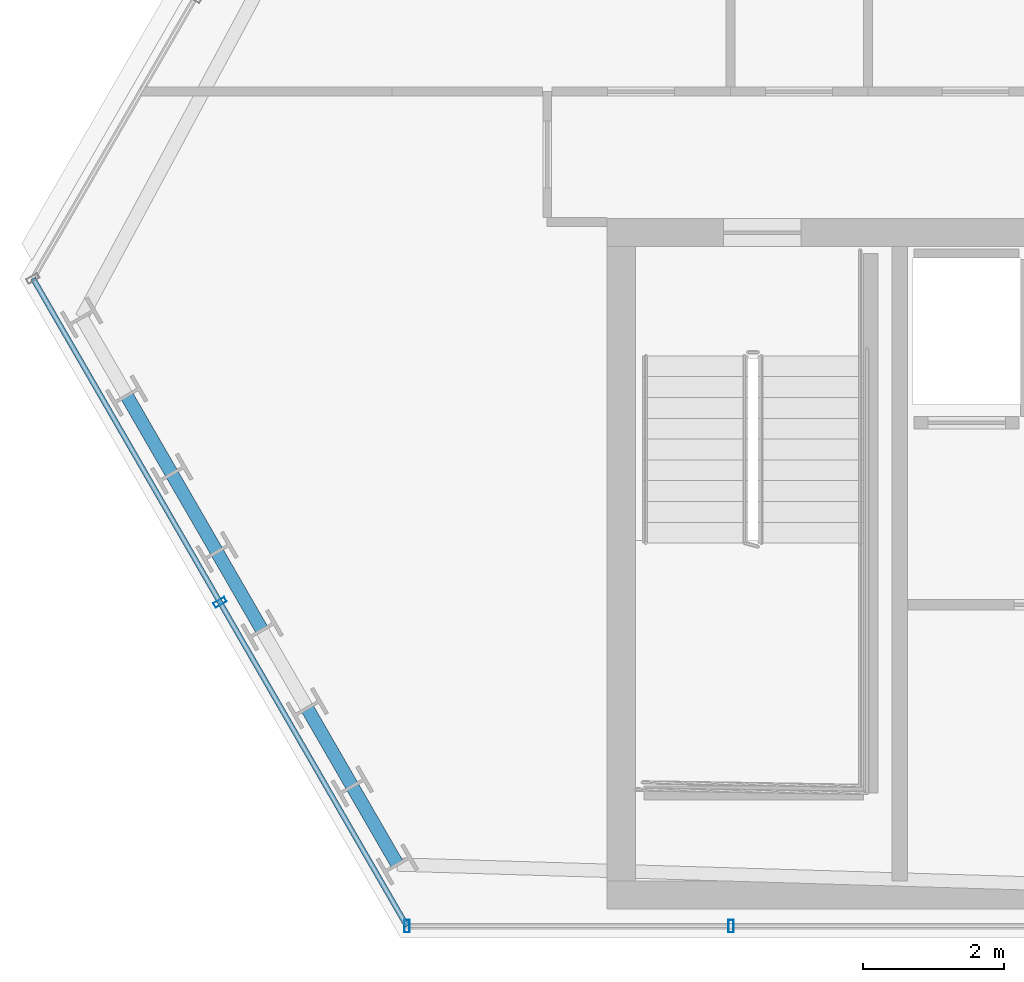
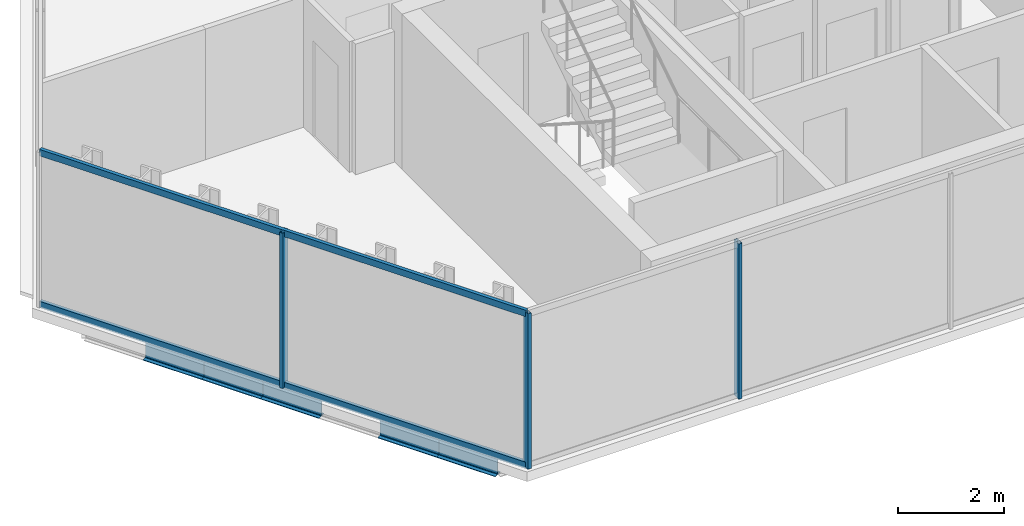
# One storey, part 2 of 33: 5 beams, 5 members, 2 elements without a shape of their own.
"""IFC4 building model written with IfcOpenShell, lengths in metres."""

import ifcopenshell
import ifcopenshell.guid

model = None  # the IFC model being written
_history = None  # IfcOwnerHistory: only IFC2X3 demands one
_inside = {}  # id of a spatial element -> (the spatial element, [elements in it])
_under = {}  # id of a project, library or spatial element -> (it, [spatial elements below it])
_declared = {}  # id of a project -> (the project, [libraries it declares])
_typed = {}  # id of a type object -> (the type object, [elements of that type])
_made_of = {}  # id of a material, layer set ... -> (it, [elements and type objects made of it])


def new_model(schema):
    """Start an empty IFC model of exactly this schema.

    Asked for "IFC4X3", IfcOpenShell would pick the latest addendum, in which some entities
    have other attributes; the version numbers below select the first issue.
    IFC2X3 requires an IfcOwnerHistory on every rooted entity: one is made here for all.
    """
    global model, _history
    if schema == "IFC4X3":
        model = ifcopenshell.file(schema_version=(4, 3, 0, 0))
    else:
        model = ifcopenshell.file(schema=schema)
    _inside.clear()
    _under.clear()
    _declared.clear()
    _typed.clear()
    _made_of.clear()
    _history = None
    if model.schema == "IFC2X3":
        org = make("IfcOrganization", Name="unknown")
        user = make(
            "IfcPersonAndOrganization",
            ThePerson=make("IfcPerson", FamilyName="unknown"),
            TheOrganization=org,
        )
        app = make(
            "IfcApplication",
            ApplicationDeveloper=org,
            Version="unknown",
            ApplicationFullName="unknown",
            ApplicationIdentifier="unknown",
        )
        _history = make(
            "IfcOwnerHistory",
            OwningUser=user,
            OwningApplication=app,
            ChangeAction="ADDED",
            CreationDate=0,
        )
    return model


def make(cls, **values):
    """One entity of the class cls with the attributes given. An attribute that is None is left unset."""
    return model.create_entity(
        cls, **{name: value for name, value in values.items() if value is not None}
    )


def rooted(cls, **values):
    """An entity with a GlobalId (a new one), such as an element, a storey or a relation."""
    return make(cls, GlobalId=ifcopenshell.guid.new(), OwnerHistory=_history, **values)


def si_unit(unit_type, name, prefix=None):
    """IfcSIUnit, for example si_unit("LENGTHUNIT", "METRE", prefix="MILLI")."""
    return make("IfcSIUnit", UnitType=unit_type, Prefix=prefix, Name=name)


def assignment(units):
    """IfcUnitAssignment: the units of a project."""
    return None if units is None else make("IfcUnitAssignment", Units=units)


def point(xyz):
    """IfcCartesianPoint."""
    return None if xyz is None else make("IfcCartesianPoint", Coordinates=xyz)


def direction(xyz):
    """IfcDirection."""
    return None if xyz is None else make("IfcDirection", DirectionRatios=xyz)


def frame(location, z_axis=None, x_axis=None):
    """IfcAxis2Placement3D, a coordinate frame: its origin and axes. An axis left out is left unset."""
    return make(
        "IfcAxis2Placement3D",
        Location=point(location),
        Axis=direction(z_axis),
        RefDirection=direction(x_axis),
    )


def frame_2d(location, x_axis=None):
    """IfcAxis2Placement2D, a coordinate frame in the plane: its origin and x axis."""
    return make(
        "IfcAxis2Placement2D", Location=point(location), RefDirection=direction(x_axis)
    )


def origin():
    """The frame at (0, 0, 0) with its axes left unset."""
    return frame((0.0, 0.0, 0.0))


def origin_2d():
    """The frame at (0, 0) in the plane with its x axis left unset."""
    return frame_2d((0.0, 0.0))


def place(relative_to, where):
    """IfcLocalPlacement: puts the frame where relative to a parent placement (None: the world)."""
    return make(
        "IfcLocalPlacement", PlacementRelTo=relative_to, RelativePlacement=where
    )


def context(
    kind, dimensions, precision=None, world=None, true_north=None, identifier=None
):
    """IfcGeometricRepresentationContext, for example the 3D "Model" context."""
    return make(
        "IfcGeometricRepresentationContext",
        ContextIdentifier=identifier,
        ContextType=kind,
        CoordinateSpaceDimension=dimensions,
        Precision=precision,
        WorldCoordinateSystem=world,
        TrueNorth=true_north,
    )


def subcontext(parent, identifier, kind, view, scale=None):
    """IfcGeometricRepresentationSubContext, for example "Body" below "Model"."""
    return make(
        "IfcGeometricRepresentationSubContext",
        ContextIdentifier=identifier,
        ContextType=kind,
        ParentContext=parent,
        TargetScale=scale,
        TargetView=view,
    )


def project(units=None, contexts=None):
    """IfcProject with its units and contexts."""
    return rooted(
        "IfcProject",
        Name="project",
        RepresentationContexts=contexts,
        UnitsInContext=assignment(units),
    )


def spatial(cls, under=None, at=None, **own):
    """A site, building, storey or space (cls), placed at a placement, below another one or the project."""
    s = rooted(cls, ObjectPlacement=at, **own)
    if under is not None:
        _under.setdefault(under.id(), (under, []))[1].append(s)
    return s


def profile(cls, at=None, kind="AREA", **sizes):
    """A parametric profile (cls). Its sizes go by their IFC names, for example OverallWidth=200.0."""
    return make(cls, ProfileType=kind, Position=at, **sizes)


def hollow_rectangle(**sizes):
    """IfcRectangleHollowProfileDef."""
    return profile("IfcRectangleHollowProfileDef", **sizes)


def i_section(**sizes):
    """IfcIShapeProfileDef."""
    return profile("IfcIShapeProfileDef", **sizes)


def extrude(swept, where, along, depth):
    """IfcExtrudedAreaSolid: the profile swept, set in the frame where, extruded along a direction by depth."""
    return make(
        "IfcExtrudedAreaSolid",
        SweptArea=swept,
        Position=where,
        ExtrudedDirection=direction(along),
        Depth=depth,
    )


def shape(context_of_items, identifier, shape_type, items):
    """IfcShapeRepresentation: the items that make up one representation, for example the "Body"."""
    return make(
        "IfcShapeRepresentation",
        ContextOfItems=context_of_items,
        RepresentationIdentifier=identifier,
        RepresentationType=shape_type,
        Items=items,
    )


def material(Name=None, Category=None):
    """IfcMaterial."""
    return make("IfcMaterial", Name=Name, Category=Category)


def layer(
    of_material, thickness, ventilated=None, Name=None, Category=None, Priority=None
):
    """IfcMaterialLayer: one layer of a wall or slab, of a material (None: an air gap)."""
    return make(
        "IfcMaterialLayer",
        Material=of_material,
        LayerThickness=thickness,
        IsVentilated=ventilated,
        Name=Name,
        Category=Category,
        Priority=Priority,
    )


def layer_set(layers, Name=None):
    """IfcMaterialLayerSet."""
    return make("IfcMaterialLayerSet", MaterialLayers=layers, LayerSetName=Name)


def material_profile(
    of_material, cross_section, Name=None, Category=None, Priority=None
):
    """IfcMaterialProfile: a cross section and its material."""
    return make(
        "IfcMaterialProfile",
        Name=Name,
        Material=of_material,
        Profile=cross_section,
        Priority=Priority,
        Category=Category,
    )


def profile_set(profiles, Name=None, composite=None):
    """IfcMaterialProfileSet."""
    return make(
        "IfcMaterialProfileSet",
        Name=Name,
        MaterialProfiles=profiles,
        CompositeProfile=composite,
    )


def made_of(thing, what):
    """Note that an element or type object is made of a material, layer set ...; save() writes the relation."""
    if what is not None:
        _made_of.setdefault(what.id(), (what, []))[1].append(thing)
    return thing


def type_object(cls, material=None, **own):
    """A type object (cls), such as IfcWallType, which elements share."""
    return made_of(rooted(cls, **own), material)


def element(
    cls,
    number,
    at=None,
    inside=None,
    cuts=None,
    type_object=None,
    material=None,
    context=None,
    identifier="Body",
    shape_type=None,
    held_by="IfcProductDefinitionShape",
    body=None,
    shapes=None,
    **own,
):
    """One element of the class cls, such as IfcWall. Its Tag is "e" and its number.

    at: its placement. inside: the storey or other place that contains it. cuts: it is an
    opening in that element (IfcRelVoidsElement). A single representation is given by context,
    identifier, shape_type and body (its items); several are given by shapes. held_by: the class
    of the entity that holds the representations. save() writes the other relations.
    """
    e = rooted(cls, Tag="e%d" % number, ObjectPlacement=at, **own)
    if body is not None:
        shapes = [shape(context, identifier, shape_type, body)]
    if shapes is not None:
        e.Representation = make(held_by, Representations=shapes)
    if inside is not None:
        _inside.setdefault(inside.id(), (inside, []))[1].append(e)
    if cuts is not None:
        rooted(
            "IfcRelVoidsElement", RelatingBuildingElement=cuts, RelatedOpeningElement=e
        )
    if type_object is not None:
        _typed.setdefault(type_object.id(), (type_object, []))[1].append(e)
    return made_of(e, material)


def aggregate(whole, parts):
    """IfcRelAggregates: a whole, such as a stair, and the parts it consists of."""
    return rooted("IfcRelAggregates", RelatingObject=whole, RelatedObjects=parts)


def save(model, path):
    """Write the relations noted so far, then the file.

    IfcRelAggregates (storeys below a building ...), IfcRelContainedInSpatialStructure (elements
    in a storey), IfcRelDefinesByType, IfcRelAssociatesMaterial and IfcRelDeclares: one each for
    every whole, place, type object, material and project.
    """
    for whole, parts in _under.values():
        aggregate(whole, parts)
    for where, things in _inside.values():
        rooted(
            "IfcRelContainedInSpatialStructure",
            RelatedElements=things,
            RelatingStructure=where,
        )
    for kind, things in _typed.values():
        rooted("IfcRelDefinesByType", RelatedObjects=things, RelatingType=kind)
    for what, things in _made_of.values():
        rooted("IfcRelAssociatesMaterial", RelatedObjects=things, RelatingMaterial=what)
    for by, libraries in _declared.values():
        rooted("IfcRelDeclares", RelatingContext=by, RelatedDefinitions=libraries)
    model.write(path)


model = new_model("IFC4")

# Units and contexts
model_context = context("Model", 3, precision=1e-05, world=origin(), true_north=direction((0.0, 1.0)))
body_context = subcontext(model_context, "Body", "Model", "MODEL_VIEW")
ifc_project = project(units=[si_unit("LENGTHUNIT", "METRE"), si_unit("AREAUNIT", "SQUARE_METRE"), si_unit("VOLUMEUNIT", "CUBIC_METRE"), si_unit("PLANEANGLEUNIT", "RADIAN"), si_unit("MASSUNIT", "GRAM", prefix="KILO")], contexts=[model_context])

# Site, building, storey
site_placement = place(None, origin())
site = spatial("IfcSite", under=ifc_project, at=site_placement, CompositionType="ELEMENT")
building_placement = place(site_placement, origin())
building = spatial("IfcBuilding", under=site, at=building_placement, Name="Ndaravel Arena Tower", CompositionType="ELEMENT")
storey_placement = place(building_placement, frame((0.0, 0.0, 161.199951171875)))
storey = spatial("IfcBuildingStorey", under=building, at=storey_placement, Name="L38", CompositionType="ELEMENT", Elevation=161.199951171875)

# Beams
ifc_material_1 = material(Name="Steel S355", Category="steel")
ifc_material_profile_1 = material_profile(ifc_material_1, i_section(OverallWidth=0.18994140625, OverallDepth=0.449951171875, WebThickness=0.009521484375, FlangeThickness=0.0146484375, FilletRadius=0.02099609375, at=origin_2d()), Name="IPE 450")
ifc_profile_set_1 = profile_set([ifc_material_profile_1], Name="Steel S355")
beam_type = type_object("IfcBeamType", Name="BM-SPAN-IPE450", PredefinedType="SPANDREL", material=ifc_profile_set_1)
beam_1_placement = place(storey_placement, frame((19.634033203125, 12.685546875, -0.445068359375), z_axis=(0.500036104519, -0.866004557827, 0.0), x_axis=(0.866004557827, 0.500036104519, 0.0)))
element("IfcBeam", 1, at=beam_1_placement, inside=storey, type_object=beam_type, Name="L38 Perimeter Spandrel Beam SP-21", PredefinedType="SPANDREL", context=body_context, shape_type="SweptSolid", body=[
    extrude(i_section(OverallWidth=0.18994140625, OverallDepth=0.449951171875, WebThickness=0.009521484375, FlangeThickness=0.0146484375, FilletRadius=0.02099609375, at=origin_2d()), origin(), (0.0, 0.0, 1.0), 1.2802734375),
])
beam_2_placement = place(storey_placement, frame((20.274169921875, 11.576904296875, -0.445068359375), z_axis=(0.499975646431, -0.866039463868, 0.0), x_axis=(0.866039463868, 0.499975646431, 0.0)))
element("IfcBeam", 2, at=beam_2_placement, inside=storey, type_object=beam_type, Name="L38 Perimeter Spandrel Beam SP-22", PredefinedType="SPANDREL", context=body_context, shape_type="SweptSolid", body=[
    extrude(i_section(OverallWidth=0.18994140625, OverallDepth=0.449951171875, WebThickness=0.009521484375, FlangeThickness=0.0146484375, FilletRadius=0.02099609375, at=origin_2d()), origin(), (0.0, 0.0, 1.0), 1.27978515625),
])
for number, where, z_axis, x_axis, name in (
    (3, (20.9140625, 10.468505859375, -0.445068359375), (0.500036104519, -0.866004557827, 0.0), (0.866004557827, 0.500036104519, 0.0), "L38 Perimeter Spandrel Beam SP-23"),
    (4, (22.194091796875, 8.25146484375, -0.445068359375), (0.500036104519, -0.866004557827, 0.0), (0.866004557827, 0.500036104519, 0.0), "L38 Perimeter Spandrel Beam SP-25"),
):
    element("IfcBeam", number, at=place(storey_placement, frame(where, z_axis=z_axis, x_axis=x_axis)), inside=storey, type_object=beam_type, Name=name, PredefinedType="SPANDREL", context=body_context, shape_type="SweptSolid", body=[
        extrude(i_section(OverallWidth=0.18994140625, OverallDepth=0.449951171875, WebThickness=0.009521484375, FlangeThickness=0.0146484375, FilletRadius=0.02099609375, at=origin_2d()), origin(), (0.0, 0.0, 1.0), 1.2802734375),
    ])
beam_3_placement = place(storey_placement, frame((22.834228515625, 7.142822265625, -0.445068359375), z_axis=(0.499893060024, -0.866087136806, 0.0), x_axis=(0.866087136806, 0.499893060024, 0.0)))
element("IfcBeam", 5, at=beam_3_placement, inside=storey, type_object=beam_type, Name="L38 Perimeter Spandrel Beam SP-26", PredefinedType="SPANDREL", context=body_context, shape_type="SweptSolid", body=[
    extrude(i_section(OverallWidth=0.18994140625, OverallDepth=0.449951171875, WebThickness=0.009521484375, FlangeThickness=0.0146484375, FilletRadius=0.02099609375, at=origin_2d()), origin(), (0.0, 0.0, 1.0), 1.280029296875),
])

# Curtain wall, members
ifc_material_2 = material(Name="Aluminium", Category="aluminium")
ifc_layer_1 = layer(ifc_material_2, 0.179931640625)
ifc_layer_set_1 = layer_set([ifc_layer_1], Name="Aluminium")
curtain_wall_type_1 = type_object("IfcCurtainWallType", Name="CW-SYS-03", PredefinedType="NOTDEFINED", material=ifc_layer_set_1)
curtain_wall_1_placement = place(storey_placement, origin())
curtain_wall_1 = element("IfcCurtainWall", 6, at=curtain_wall_1_placement, inside=storey, type_object=curtain_wall_type_1, Name="L38 Faceted Crystal Curtain Wall CW-L38-E01", PredefinedType="NOTDEFINED")
ifc_material_3 = material(Name="Aluminium", Category="aluminium")
ifc_material_profile_2 = material_profile(ifc_material_3, hollow_rectangle(XDim=0.074951171875, YDim=0.179931640625, WallThickness=0.00390625, at=origin_2d()), Name="CW MULLION 75x180x4")
ifc_profile_set_2 = profile_set([ifc_material_profile_2], Name="Aluminium")
member_type_1 = type_object("IfcMemberType", Name="MEM-CW-MUL180", PredefinedType="MULLION", material=ifc_profile_set_2)
member_1_placement = place(storey_placement, frame((23.609619140625, 5.159912109375, 0.0), z_axis=(0.0, 0.0, 1.0), x_axis=(1.0, 0.0, 0.0)))
member_1 = element("IfcMember", 7, at=member_1_placement, type_object=member_type_1, Name="CW-L38-E01 Mullion 00", PredefinedType="MULLION", context=body_context, shape_type="SweptSolid", body=[
    extrude(hollow_rectangle(XDim=0.074951171875, YDim=0.179931640625, WallThickness=0.00390625, at=origin_2d()), origin(), (0.0, 0.0, 1.0), 3.580078125),
])
member_2_placement = place(storey_placement, frame((28.20703125, 5.159912109375, 0.0), z_axis=(0.0, 0.0, 1.0), x_axis=(1.0, 0.0, 0.0)))
member_2 = element("IfcMember", 8, at=member_2_placement, type_object=member_type_1, Name="CW-L38-E01 Mullion 01", PredefinedType="MULLION", context=body_context, shape_type="SweptSolid", body=[
    extrude(hollow_rectangle(XDim=0.074951171875, YDim=0.179931640625, WallThickness=0.00390625, at=origin_2d()), origin(), (0.0, 0.0, 1.0), 3.580078125),
])
aggregate(curtain_wall_1, [member_1, member_2])

ifc_material_4 = material(Name="Aluminium", Category="aluminium")
ifc_layer_2 = layer(ifc_material_4, 0.179931640625)
ifc_layer_set_2 = layer_set([ifc_layer_2], Name="Aluminium")
curtain_wall_type_2 = type_object("IfcCurtainWallType", Name="CW-SYS-02", PredefinedType="NOTDEFINED", material=ifc_layer_set_2)
curtain_wall_2_placement = place(storey_placement, origin())
curtain_wall_2 = element("IfcCurtainWall", 9, at=curtain_wall_2_placement, inside=storey, type_object=curtain_wall_type_2, Name="L38 Faceted Crystal Curtain Wall CW-L38-E06", PredefinedType="NOTDEFINED")
member_3_placement = place(storey_placement, frame((20.95703125, 9.754150390625, 0.0), z_axis=(0.0, 0.0, 1.0), x_axis=(0.5, -0.866025403784, 0.0)))
member_3 = element("IfcMember", 10, at=member_3_placement, type_object=member_type_1, Name="CW-L38-E06 Mullion 01", PredefinedType="MULLION", context=body_context, shape_type="SweptSolid", body=[
    extrude(hollow_rectangle(XDim=0.074951171875, YDim=0.179931640625, WallThickness=0.00390625, at=origin_2d()), origin(), (0.0, 0.0, 1.0), 3.580078125),
])
ifc_material_5 = material(Name="Aluminium", Category="aluminium")
ifc_material_profile_3 = material_profile(ifc_material_5, hollow_rectangle(XDim=0.074951171875, YDim=0.14990234375, WallThickness=0.00390625, at=origin_2d()), Name="CW TRANSOM 75x150x4")
ifc_profile_set_3 = profile_set([ifc_material_profile_3], Name="Aluminium")
member_type_2 = type_object("IfcMemberType", Name="MEM-CW-TRN150", PredefinedType="USERDEFINED", material=ifc_profile_set_3)
member_4_placement = place(storey_placement, frame((18.3046875, 14.348388671875, 0.0400390625), z_axis=(0.499997329654, -0.866026945504, 0.0), x_axis=(0.866026945504, 0.499997329654, 0.0)))
member_4 = element("IfcMember", 11, at=member_4_placement, type_object=member_type_2, Name="CW-L38-E06 Transom 01", ObjectType="TRANSOM", PredefinedType="USERDEFINED", context=body_context, shape_type="SweptSolid", body=[
    extrude(hollow_rectangle(XDim=0.074951171875, YDim=0.14990234375, WallThickness=0.00390625, at=origin_2d()), origin(), (0.0, 0.0, 1.0), 10.60986328125),
])
member_5_placement = place(storey_placement, frame((18.3046875, 14.348388671875, 3.5400390625), z_axis=(0.499997329654, -0.866026945504, 0.0), x_axis=(0.866026945504, 0.499997329654, 0.0)))
member_5 = element("IfcMember", 12, at=member_5_placement, type_object=member_type_2, Name="CW-L38-E06 Transom 02", ObjectType="TRANSOM", PredefinedType="USERDEFINED", context=body_context, shape_type="SweptSolid", body=[
    extrude(hollow_rectangle(XDim=0.074951171875, YDim=0.14990234375, WallThickness=0.00390625, at=origin_2d()), origin(), (0.0, 0.0, 1.0), 10.60986328125),
])
aggregate(curtain_wall_2, [member_3, member_4, member_5])

save(model, "model.ifc")
